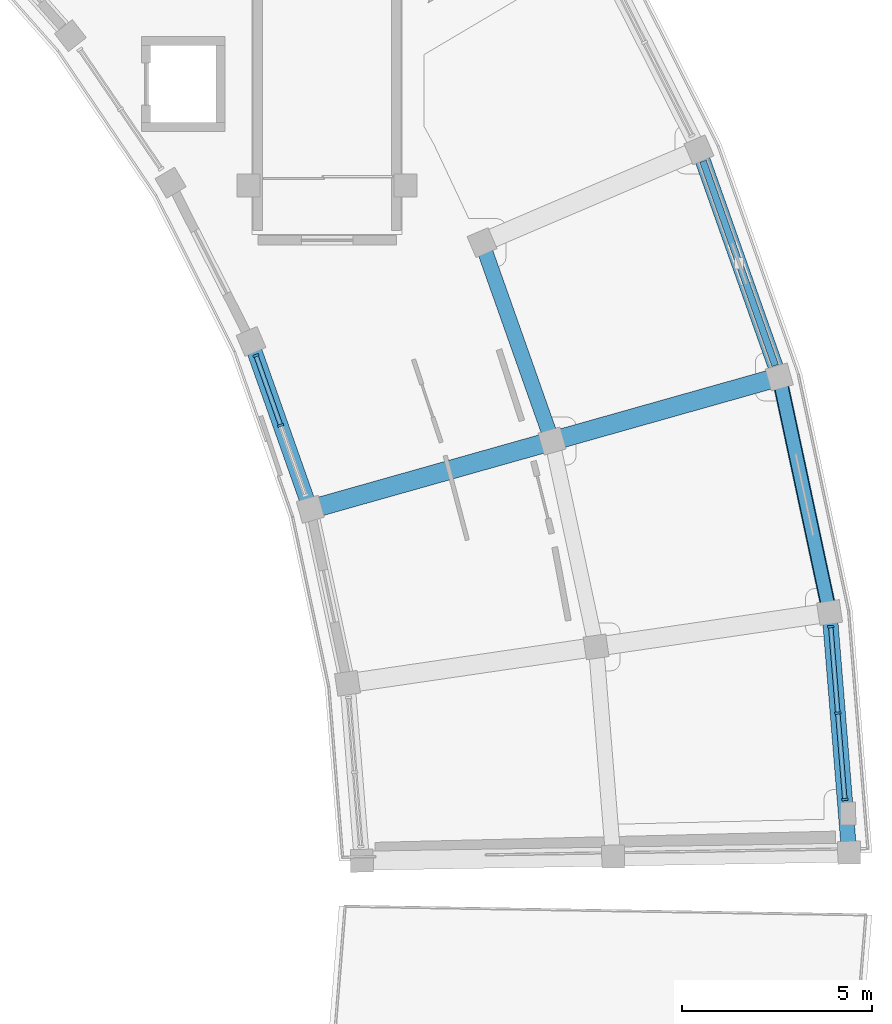
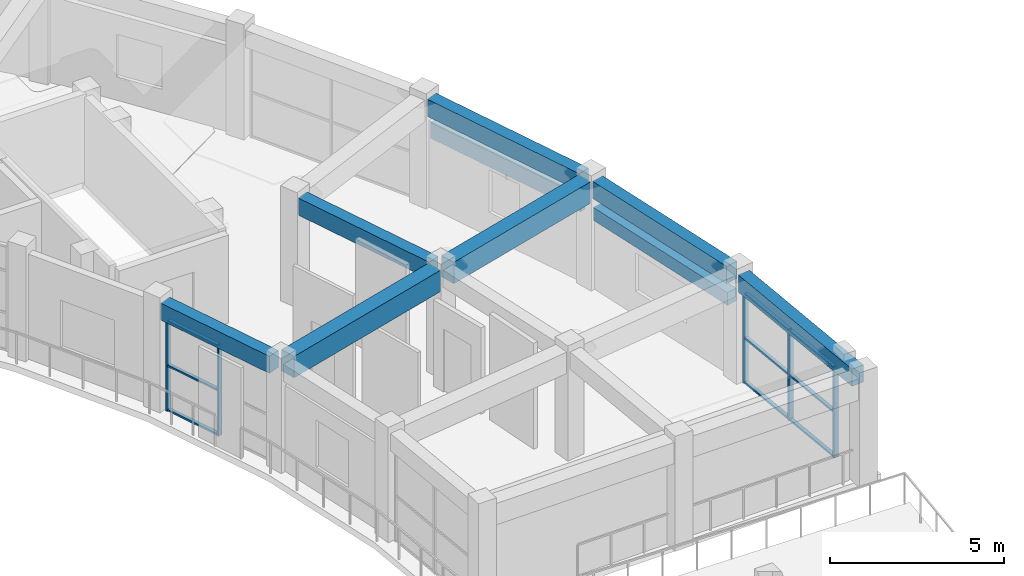
# One storey, part 11 of 29: 15 members, 8 beams, 2 elements without a shape of their own.
"""IFC4 building model written with IfcOpenShell, lengths in metres."""

import ifcopenshell
import ifcopenshell.guid

model = None  # the IFC model being written
_history = None  # IfcOwnerHistory: only IFC2X3 demands one
_inside = {}  # id of a spatial element -> (the spatial element, [elements in it])
_under = {}  # id of a project, library or spatial element -> (it, [spatial elements below it])
_declared = {}  # id of a project -> (the project, [libraries it declares])
_typed = {}  # id of a type object -> (the type object, [elements of that type])
_made_of = {}  # id of a material, layer set ... -> (it, [elements and type objects made of it])


def new_model(schema):
    """Start an empty IFC model of exactly this schema.

    Asked for "IFC4X3", IfcOpenShell would pick the latest addendum, in which some entities
    have other attributes; the version numbers below select the first issue.
    IFC2X3 requires an IfcOwnerHistory on every rooted entity: one is made here for all.
    """
    global model, _history
    if schema == "IFC4X3":
        model = ifcopenshell.file(schema_version=(4, 3, 0, 0))
    else:
        model = ifcopenshell.file(schema=schema)
    _inside.clear()
    _under.clear()
    _declared.clear()
    _typed.clear()
    _made_of.clear()
    _history = None
    if model.schema == "IFC2X3":
        org = make("IfcOrganization", Name="unknown")
        user = make(
            "IfcPersonAndOrganization",
            ThePerson=make("IfcPerson", FamilyName="unknown"),
            TheOrganization=org,
        )
        app = make(
            "IfcApplication",
            ApplicationDeveloper=org,
            Version="unknown",
            ApplicationFullName="unknown",
            ApplicationIdentifier="unknown",
        )
        _history = make(
            "IfcOwnerHistory",
            OwningUser=user,
            OwningApplication=app,
            ChangeAction="ADDED",
            CreationDate=0,
        )
    return model


def make(cls, **values):
    """One entity of the class cls with the attributes given. An attribute that is None is left unset."""
    return model.create_entity(
        cls, **{name: value for name, value in values.items() if value is not None}
    )


def rooted(cls, **values):
    """An entity with a GlobalId (a new one), such as an element, a storey or a relation."""
    return make(cls, GlobalId=ifcopenshell.guid.new(), OwnerHistory=_history, **values)


def si_unit(unit_type, name, prefix=None):
    """IfcSIUnit, for example si_unit("LENGTHUNIT", "METRE", prefix="MILLI")."""
    return make("IfcSIUnit", UnitType=unit_type, Prefix=prefix, Name=name)


def assignment(units):
    """IfcUnitAssignment: the units of a project."""
    return None if units is None else make("IfcUnitAssignment", Units=units)


def point(xyz):
    """IfcCartesianPoint."""
    return None if xyz is None else make("IfcCartesianPoint", Coordinates=xyz)


def direction(xyz):
    """IfcDirection."""
    return None if xyz is None else make("IfcDirection", DirectionRatios=xyz)


def frame(location, z_axis=None, x_axis=None):
    """IfcAxis2Placement3D, a coordinate frame: its origin and axes. An axis left out is left unset."""
    return make(
        "IfcAxis2Placement3D",
        Location=point(location),
        Axis=direction(z_axis),
        RefDirection=direction(x_axis),
    )


def frame_2d(location, x_axis=None):
    """IfcAxis2Placement2D, a coordinate frame in the plane: its origin and x axis."""
    return make(
        "IfcAxis2Placement2D", Location=point(location), RefDirection=direction(x_axis)
    )


def origin():
    """The frame at (0, 0, 0) with its axes left unset."""
    return frame((0.0, 0.0, 0.0))


def origin_2d():
    """The frame at (0, 0) in the plane with its x axis left unset."""
    return frame_2d((0.0, 0.0))


def place(relative_to, where):
    """IfcLocalPlacement: puts the frame where relative to a parent placement (None: the world)."""
    return make(
        "IfcLocalPlacement", PlacementRelTo=relative_to, RelativePlacement=where
    )


def context(
    kind, dimensions, precision=None, world=None, true_north=None, identifier=None
):
    """IfcGeometricRepresentationContext, for example the 3D "Model" context."""
    return make(
        "IfcGeometricRepresentationContext",
        ContextIdentifier=identifier,
        ContextType=kind,
        CoordinateSpaceDimension=dimensions,
        Precision=precision,
        WorldCoordinateSystem=world,
        TrueNorth=true_north,
    )


def subcontext(parent, identifier, kind, view, scale=None):
    """IfcGeometricRepresentationSubContext, for example "Body" below "Model"."""
    return make(
        "IfcGeometricRepresentationSubContext",
        ContextIdentifier=identifier,
        ContextType=kind,
        ParentContext=parent,
        TargetScale=scale,
        TargetView=view,
    )


def project(units=None, contexts=None):
    """IfcProject with its units and contexts."""
    return rooted(
        "IfcProject",
        Name="project",
        RepresentationContexts=contexts,
        UnitsInContext=assignment(units),
    )


def spatial(cls, under=None, at=None, **own):
    """A site, building, storey or space (cls), placed at a placement, below another one or the project."""
    s = rooted(cls, ObjectPlacement=at, **own)
    if under is not None:
        _under.setdefault(under.id(), (under, []))[1].append(s)
    return s


def profile(cls, at=None, kind="AREA", **sizes):
    """A parametric profile (cls). Its sizes go by their IFC names, for example OverallWidth=200.0."""
    return make(cls, ProfileType=kind, Position=at, **sizes)


def rectangle(**sizes):
    """IfcRectangleProfileDef."""
    return profile("IfcRectangleProfileDef", **sizes)


def extrude(swept, where, along, depth):
    """IfcExtrudedAreaSolid: the profile swept, set in the frame where, extruded along a direction by depth."""
    return make(
        "IfcExtrudedAreaSolid",
        SweptArea=swept,
        Position=where,
        ExtrudedDirection=direction(along),
        Depth=depth,
    )


def shape(context_of_items, identifier, shape_type, items):
    """IfcShapeRepresentation: the items that make up one representation, for example the "Body"."""
    return make(
        "IfcShapeRepresentation",
        ContextOfItems=context_of_items,
        RepresentationIdentifier=identifier,
        RepresentationType=shape_type,
        Items=items,
    )


def material(Name=None, Category=None):
    """IfcMaterial."""
    return make("IfcMaterial", Name=Name, Category=Category)


def material_profile(
    of_material, cross_section, Name=None, Category=None, Priority=None
):
    """IfcMaterialProfile: a cross section and its material."""
    return make(
        "IfcMaterialProfile",
        Name=Name,
        Material=of_material,
        Profile=cross_section,
        Priority=Priority,
        Category=Category,
    )


def profile_set(profiles, Name=None, composite=None):
    """IfcMaterialProfileSet."""
    return make(
        "IfcMaterialProfileSet",
        Name=Name,
        MaterialProfiles=profiles,
        CompositeProfile=composite,
    )


def made_of(thing, what):
    """Note that an element or type object is made of a material, layer set ...; save() writes the relation."""
    if what is not None:
        _made_of.setdefault(what.id(), (what, []))[1].append(thing)
    return thing


def type_object(cls, material=None, **own):
    """A type object (cls), such as IfcWallType, which elements share."""
    return made_of(rooted(cls, **own), material)


def element(
    cls,
    number,
    at=None,
    inside=None,
    cuts=None,
    type_object=None,
    material=None,
    context=None,
    identifier="Body",
    shape_type=None,
    held_by="IfcProductDefinitionShape",
    body=None,
    shapes=None,
    **own,
):
    """One element of the class cls, such as IfcWall. Its Tag is "e" and its number.

    at: its placement. inside: the storey or other place that contains it. cuts: it is an
    opening in that element (IfcRelVoidsElement). A single representation is given by context,
    identifier, shape_type and body (its items); several are given by shapes. held_by: the class
    of the entity that holds the representations. save() writes the other relations.
    """
    e = rooted(cls, Tag="e%d" % number, ObjectPlacement=at, **own)
    if body is not None:
        shapes = [shape(context, identifier, shape_type, body)]
    if shapes is not None:
        e.Representation = make(held_by, Representations=shapes)
    if inside is not None:
        _inside.setdefault(inside.id(), (inside, []))[1].append(e)
    if cuts is not None:
        rooted(
            "IfcRelVoidsElement", RelatingBuildingElement=cuts, RelatedOpeningElement=e
        )
    if type_object is not None:
        _typed.setdefault(type_object.id(), (type_object, []))[1].append(e)
    return made_of(e, material)


def aggregate(whole, parts):
    """IfcRelAggregates: a whole, such as a stair, and the parts it consists of."""
    return rooted("IfcRelAggregates", RelatingObject=whole, RelatedObjects=parts)


def save(model, path):
    """Write the relations noted so far, then the file.

    IfcRelAggregates (storeys below a building ...), IfcRelContainedInSpatialStructure (elements
    in a storey), IfcRelDefinesByType, IfcRelAssociatesMaterial and IfcRelDeclares: one each for
    every whole, place, type object, material and project.
    """
    for whole, parts in _under.values():
        aggregate(whole, parts)
    for where, things in _inside.values():
        rooted(
            "IfcRelContainedInSpatialStructure",
            RelatedElements=things,
            RelatingStructure=where,
        )
    for kind, things in _typed.values():
        rooted("IfcRelDefinesByType", RelatedObjects=things, RelatingType=kind)
    for what, things in _made_of.values():
        rooted("IfcRelAssociatesMaterial", RelatedObjects=things, RelatingMaterial=what)
    for by, libraries in _declared.values():
        rooted("IfcRelDeclares", RelatingContext=by, RelatedDefinitions=libraries)
    model.write(path)


model = new_model("IFC4")

# Units and contexts
model_context = context("Model", 3, precision=1e-05, world=origin(), true_north=direction((0.0, 1.0)))
body_context = subcontext(model_context, "Body", "Model", "MODEL_VIEW")
ifc_project = project(units=[si_unit("LENGTHUNIT", "METRE"), si_unit("AREAUNIT", "SQUARE_METRE"), si_unit("VOLUMEUNIT", "CUBIC_METRE"), si_unit("PLANEANGLEUNIT", "RADIAN"), si_unit("MASSUNIT", "GRAM", prefix="KILO")], contexts=[model_context])

# Site, building, storey
site_placement = place(None, origin())
site = spatial("IfcSite", under=ifc_project, at=site_placement, CompositionType="ELEMENT")
building_placement = place(site_placement, origin())
building = spatial("IfcBuilding", under=site, at=building_placement, Name="Saryqyr Civic Hall", CompositionType="ELEMENT")
storey_placement = place(building_placement, frame((0.0, 0.0, 25.35009765625)))
storey = spatial("IfcBuildingStorey", under=building, at=storey_placement, Name="L06", CompositionType="ELEMENT", Elevation=25.35009765625)

# Curtain wall, members
ifc_material_1 = material(Name="Anodised aluminium and triple low-E glass", Category="aluminium")
curtain_wall_type_1 = type_object("IfcCurtainWallType", Name="ENV-CW-STD-30", PredefinedType="NOTDEFINED", material=ifc_material_1)
curtain_wall_1_placement = place(storey_placement, origin())
curtain_wall_1 = element("IfcCurtainWall", 1, at=curtain_wall_1_placement, inside=storey, type_object=curtain_wall_type_1, Name="Curtain wall V6-CWO-L06-00", PredefinedType="NOTDEFINED")
ifc_material_2 = material(Name="Anodised aluminium", Category="aluminium")
ifc_material_profile_1 = material_profile(ifc_material_2, rectangle(XDim=0.06005859375, YDim=0.159912109375, at=origin_2d()), Name="ALU MULLION 60x160")
ifc_profile_set_1 = profile_set([ifc_material_profile_1], Name="Anodised aluminium")
member_type_1 = type_object("IfcMemberType", Name="ENV-CW-MUL-180", PredefinedType="MULLION", material=ifc_profile_set_1)
member_1_placement = place(storey_placement, frame((105.51025390625, 90.75, 0.0), z_axis=(0.0, 0.0, 1.0), x_axis=(0.081093274213, -0.996706516923, 0.0)))
member_1 = element("IfcMember", 2, at=member_1_placement, type_object=member_type_1, Name="CW-30 mullion 1", PredefinedType="MULLION", context=body_context, shape_type="SweptSolid", body=[
    extrude(rectangle(XDim=0.06005859375, YDim=0.159912109375, at=origin_2d()), origin(), (0.0, 0.0, 1.0), 3.184814453125),
])
member_2_placement = place(storey_placement, frame((105.69482421875, 88.479248046875, 0.0), z_axis=(0.0, 0.0, 1.0), x_axis=(0.081093274213, -0.996706516923, 0.0)))
member_2 = element("IfcMember", 3, at=member_2_placement, type_object=member_type_1, Name="CW-30 mullion 2", PredefinedType="MULLION", context=body_context, shape_type="SweptSolid", body=[
    extrude(rectangle(XDim=0.06005859375, YDim=0.159912109375, at=origin_2d()), origin(), (0.0, 0.0, 1.0), 3.184814453125),
])
member_3_placement = place(storey_placement, frame((105.879638671875, 86.208251953125, 0.0), z_axis=(0.0, 0.0, 1.0), x_axis=(0.081093274213, -0.996706516923, 0.0)))
member_3 = element("IfcMember", 4, at=member_3_placement, type_object=member_type_1, Name="CW-30 mullion 3", PredefinedType="MULLION", context=body_context, shape_type="SweptSolid", body=[
    extrude(rectangle(XDim=0.06005859375, YDim=0.159912109375, at=origin_2d()), origin(), (0.0, 0.0, 1.0), 3.184814453125),
])

curtain_wall_type_2 = type_object("IfcCurtainWallType", Name="ENV-CW-STD-21", PredefinedType="NOTDEFINED", material=ifc_material_1)
curtain_wall_2_placement = place(storey_placement, origin())
curtain_wall_2 = element("IfcCurtainWall", 5, at=curtain_wall_2_placement, inside=storey, type_object=curtain_wall_type_2, Name="Curtain wall V6-CWI-L06-02", PredefinedType="NOTDEFINED")
member_4_placement = place(storey_placement, frame((91.060302734375, 96.036376953125, 0.0), z_axis=(0.0, 0.0, 1.0), x_axis=(-0.333171977335, 0.94286607401, 0.0)))
member_4 = element("IfcMember", 6, at=member_4_placement, type_object=member_type_1, Name="CW-21 mullion 2", PredefinedType="MULLION", context=body_context, shape_type="SweptSolid", body=[
    extrude(rectangle(XDim=0.06005859375, YDim=0.159912109375, at=origin_2d()), origin(), (0.0, 0.0, 1.0), 3.184814453125),
])
member_5_placement = place(storey_placement, frame((90.41162109375, 97.8720703125, 0.0), z_axis=(0.0, 0.0, 1.0), x_axis=(-0.333171977335, 0.94286607401, 0.0)))
member_5 = element("IfcMember", 7, at=member_5_placement, type_object=member_type_1, Name="CW-21 mullion 3", PredefinedType="MULLION", context=body_context, shape_type="SweptSolid", body=[
    extrude(rectangle(XDim=0.06005859375, YDim=0.159912109375, at=origin_2d()), origin(), (0.0, 0.0, 1.0), 3.184814453125),
])

# Member
ifc_material_profile_2 = material_profile(ifc_material_2, rectangle(XDim=0.1201171875, YDim=0.06005859375, at=origin_2d()), Name="ALU TRANSOM 120x60")
ifc_profile_set_2 = profile_set([ifc_material_profile_2], Name="Anodised aluminium")
member_type_2 = type_object("IfcMemberType", Name="ENV-CW-TRN-150", PredefinedType="USERDEFINED", material=ifc_profile_set_2)
member_6_placement = place(storey_placement, frame((105.512451171875, 90.72021484375, 0.02978515625), z_axis=(0.081105440366, -0.996705526995, 0.0), x_axis=(0.996705526995, 0.081105440366, 0.0)))
member_6 = element("IfcMember", 8, at=member_6_placement, type_object=member_type_2, Name="CW-30 transom 1.1", ObjectType="TRANSOM", PredefinedType="USERDEFINED", context=body_context, shape_type="SweptSolid", body=[
    extrude(rectangle(XDim=0.1201171875, YDim=0.06005859375, at=origin_2d()), origin(), (0.0, 0.0, 1.0), 2.218505859375),
])

member_7_placement = place(storey_placement, frame((105.512451171875, 90.72021484375, 1.593017578125), z_axis=(0.081105440366, -0.996705526995, 0.0), x_axis=(0.996705526995, 0.081105440366, 0.0)))
member_7 = element("IfcMember", 9, at=member_7_placement, type_object=member_type_2, Name="CW-30 transom 1.2", ObjectType="TRANSOM", PredefinedType="USERDEFINED", context=body_context, shape_type="SweptSolid", body=[
    extrude(rectangle(XDim=0.1201171875, YDim=0.06005859375, at=origin_2d()), origin(), (0.0, 0.0, 1.0), 2.218505859375),
])

member_8_placement = place(storey_placement, frame((105.512451171875, 90.72021484375, 3.15478515625), z_axis=(0.081105440366, -0.996705526995, 0.0), x_axis=(0.996705526995, 0.081105440366, 0.0)))
member_8 = element("IfcMember", 10, at=member_8_placement, type_object=member_type_2, Name="CW-30 transom 1.3", ObjectType="TRANSOM", PredefinedType="USERDEFINED", context=body_context, shape_type="SweptSolid", body=[
    extrude(rectangle(XDim=0.1201171875, YDim=0.06005859375, at=origin_2d()), origin(), (0.0, 0.0, 1.0), 2.218505859375),
])

member_9_placement = place(storey_placement, frame((105.697265625, 88.44921875, 0.02978515625), z_axis=(0.081105440366, -0.996705526995, 0.0), x_axis=(0.996705526995, 0.081105440366, 0.0)))
member_9 = element("IfcMember", 11, at=member_9_placement, type_object=member_type_2, Name="CW-30 transom 2.1", ObjectType="TRANSOM", PredefinedType="USERDEFINED", context=body_context, shape_type="SweptSolid", body=[
    extrude(rectangle(XDim=0.1201171875, YDim=0.06005859375, at=origin_2d()), origin(), (0.0, 0.0, 1.0), 2.218505859375),
])

member_10_placement = place(storey_placement, frame((105.697265625, 88.44921875, 1.593017578125), z_axis=(0.081105440366, -0.996705526995, 0.0), x_axis=(0.996705526995, 0.081105440366, 0.0)))
member_10 = element("IfcMember", 12, at=member_10_placement, type_object=member_type_2, Name="CW-30 transom 2.2", ObjectType="TRANSOM", PredefinedType="USERDEFINED", context=body_context, shape_type="SweptSolid", body=[
    extrude(rectangle(XDim=0.1201171875, YDim=0.06005859375, at=origin_2d()), origin(), (0.0, 0.0, 1.0), 2.218505859375),
])

member_11_placement = place(storey_placement, frame((105.697265625, 88.44921875, 3.15478515625), z_axis=(0.081105440366, -0.996705526995, 0.0), x_axis=(0.996705526995, 0.081105440366, 0.0)))
member_11 = element("IfcMember", 13, at=member_11_placement, type_object=member_type_2, Name="CW-30 transom 2.3", ObjectType="TRANSOM", PredefinedType="USERDEFINED", context=body_context, shape_type="SweptSolid", body=[
    extrude(rectangle(XDim=0.1201171875, YDim=0.06005859375, at=origin_2d()), origin(), (0.0, 0.0, 1.0), 2.218505859375),
])

aggregate(curtain_wall_1, [member_1, member_2, member_3, member_6, member_7, member_8, member_9, member_10, member_11])

member_12_placement = place(storey_placement, frame((91.05029296875, 96.064697265625, 0.02978515625), z_axis=(-0.333178802066, 0.942863662389, 0.0), x_axis=(-0.942863662389, -0.333178802066, 0.0)))
member_12 = element("IfcMember", 14, at=member_12_placement, type_object=member_type_2, Name="CW-21 transom 2.1", ObjectType="TRANSOM", PredefinedType="USERDEFINED", context=body_context, shape_type="SweptSolid", body=[
    extrude(rectangle(XDim=0.1201171875, YDim=0.06005859375, at=origin_2d()), origin(), (0.0, 0.0, 1.0), 1.886962890625),
])

member_13_placement = place(storey_placement, frame((91.05029296875, 96.064697265625, 1.593017578125), z_axis=(-0.333178802066, 0.942863662389, 0.0), x_axis=(-0.942863662389, -0.333178802066, 0.0)))
member_13 = element("IfcMember", 15, at=member_13_placement, type_object=member_type_2, Name="CW-21 transom 2.2", ObjectType="TRANSOM", PredefinedType="USERDEFINED", context=body_context, shape_type="SweptSolid", body=[
    extrude(rectangle(XDim=0.1201171875, YDim=0.06005859375, at=origin_2d()), origin(), (0.0, 0.0, 1.0), 1.886962890625),
])

member_14_placement = place(storey_placement, frame((91.05029296875, 96.064697265625, 3.15478515625), z_axis=(-0.333178802066, 0.942863662389, 0.0), x_axis=(-0.942863662389, -0.333178802066, 0.0)))
member_14 = element("IfcMember", 16, at=member_14_placement, type_object=member_type_2, Name="CW-21 transom 2.3", ObjectType="TRANSOM", PredefinedType="USERDEFINED", context=body_context, shape_type="SweptSolid", body=[
    extrude(rectangle(XDim=0.1201171875, YDim=0.06005859375, at=origin_2d()), origin(), (0.0, 0.0, 1.0), 1.886962890625),
])

aggregate(curtain_wall_2, [member_4, member_5, member_12, member_13, member_14])

ifc_material_3 = material(Name="Precast concrete C40/50", Category="concrete")
ifc_material_profile_3 = material_profile(ifc_material_3, rectangle(XDim=0.179931640625, YDim=0.550048828125, at=origin_2d()), Name="PC FIN 180x550")
ifc_profile_set_3 = profile_set([ifc_material_profile_3], Name="Precast concrete C40/50")
member_type_3 = type_object("IfcMemberType", Name="ENV-FIN-PC550", PredefinedType="USERDEFINED", material=ifc_profile_set_3)
member_15_placement = place(storey_placement, frame((104.052001953125, 97.608642578125, 2.669921875), z_axis=(-0.333161095844, 0.942869919032, 0.0), x_axis=(-0.942869919032, -0.333161095844, 0.0)))
element("IfcMember", 17, at=member_15_placement, inside=storey, type_object=member_type_3, Name="Precast horizontal solar brise-soleil fin V6-L06-02", ObjectType="SOLAR_FIN", PredefinedType="USERDEFINED", context=body_context, shape_type="SweptSolid", body=[
    extrude(rectangle(XDim=0.179931640625, YDim=0.550048828125, at=origin_2d()), origin(), (0.0, 0.0, 1.0), 5.6923828125),
])

# Beams
ifc_material_4 = material(Name="Concrete C35/45", Category="concrete")
ifc_material_profile_4 = material_profile(ifc_material_4, rectangle(XDim=0.39990234375, YDim=0.60009765625, at=origin_2d()), Name="RC 400x600")
ifc_profile_set_4 = profile_set([ifc_material_profile_4], Name="Concrete C35/45")
beam_type_1 = type_object("IfcBeamType", Name="STR-BM-RC400x600", PredefinedType="BEAM", material=ifc_profile_set_4)
beam_1_placement = place(storey_placement, frame((98.099609375, 95.884033203125, 3.510009765625), z_axis=(-0.333215168941, 0.942850810674, 0.0), x_axis=(-0.942850810674, -0.333215168941, 0.0)))
element("IfcBeam", 18, at=beam_1_placement, inside=storey, type_object=beam_type_1, Name="Beam V6-CBM-MID02-L06", PredefinedType="BEAM", context=body_context, shape_type="SweptSolid", body=[
    extrude(rectangle(XDim=0.39990234375, YDim=0.60009765625, at=origin_2d()), origin(), (0.0, 0.0, 1.0), 4.977783203125),
])
ifc_material_profile_5 = material_profile(ifc_material_4, rectangle(XDim=0.39990234375, YDim=0.60009765625, at=origin_2d()), Name="RC 400x600")
ifc_profile_set_5 = profile_set([ifc_material_profile_5], Name="Concrete C35/45")
beam_type_2 = type_object("IfcBeamType", Name="STR-BM-RC400x600-EXT", PredefinedType="BEAM", material=ifc_profile_set_5)
beam_2_placement = place(storey_placement, frame((105.970947265625, 85.08642578125, 3.510009765625), z_axis=(-0.081118754251, 0.996704443508, 0.0), x_axis=(-0.996704443508, -0.081118754251, 0.0)))
element("IfcBeam", 19, at=beam_2_placement, inside=storey, type_object=beam_type_2, Name="Beam V6-CBM-OUT00-L06", PredefinedType="BEAM", context=body_context, shape_type="SweptSolid", body=[
    extrude(rectangle(XDim=0.39990234375, YDim=0.60009765625, at=origin_2d()), origin(), (0.0, 0.0, 1.0), 5.778564453125),
])
beam_3_placement = place(storey_placement, frame((105.422607421875, 91.388916015625, 3.510009765625), z_axis=(-0.208928885594, 0.977930836391, 0.0), x_axis=(-0.977930836391, -0.208928885594, 0.0)))
element("IfcBeam", 20, at=beam_3_placement, inside=storey, type_object=beam_type_2, Name="Beam V6-CBM-OUT01-L06", PredefinedType="BEAM", context=body_context, shape_type="SweptSolid", body=[
    extrude(rectangle(XDim=0.39990234375, YDim=0.60009765625, at=origin_2d()), origin(), (0.0, 0.0, 1.0), 5.7783203125),
])
beam_4_placement = place(storey_placement, frame((91.74755859375, 94.091552734375, 3.510009765625), z_axis=(-0.333185372097, 0.942861340718, 0.0), x_axis=(-0.942861340718, -0.333185372097, 0.0)))
element("IfcBeam", 21, at=beam_4_placement, inside=storey, type_object=beam_type_2, Name="Beam V6-CBM-IN02-L06", PredefinedType="BEAM", context=body_context, shape_type="SweptSolid", body=[
    extrude(rectangle(XDim=0.39990234375, YDim=0.60009765625, at=origin_2d()), origin(), (0.0, 0.0, 1.0), 4.12548828125),
])
beam_5_placement = place(storey_placement, frame((104.06640625, 97.568115234375, 3.510009765625), z_axis=(-0.333186956354, 0.942860780877, 0.0), x_axis=(-0.942860780877, -0.333186956354, 0.0)))
element("IfcBeam", 22, at=beam_5_placement, inside=storey, type_object=beam_type_2, Name="Beam V6-CBM-OUT02-L06", PredefinedType="BEAM", context=body_context, shape_type="SweptSolid", body=[
    extrude(rectangle(XDim=0.39990234375, YDim=0.60009765625, at=origin_2d()), origin(), (0.0, 0.0, 1.0), 5.7783203125),
])
ifc_material_5 = material(Name="Concrete C40/50", Category="concrete")
ifc_material_profile_6 = material_profile(ifc_material_5, rectangle(XDim=0.5, YDim=0.75, at=origin_2d()), Name="RC 500x750")
ifc_profile_set_6 = profile_set([ifc_material_profile_6], Name="Concrete C40/50")
beam_type_3 = type_object("IfcBeamType", Name="STR-BM-RC500x750", PredefinedType="BEAM", material=ifc_profile_set_6)
beam_6_placement = place(storey_placement, frame((92.10400390625, 93.906982421875, 3.434814453125), z_axis=(0.962414253167, 0.27158572367, 0.0), x_axis=(-0.27158572367, 0.962414253167, 0.0)))
element("IfcBeam", 23, at=beam_6_placement, inside=storey, type_object=beam_type_3, Name="Beam V6-RBM-A02-L06", PredefinedType="BEAM", context=body_context, shape_type="SweptSolid", body=[
    extrude(rectangle(XDim=0.5, YDim=0.75, at=origin_2d()), origin(), (0.0, 0.0, 1.0), 6.0498046875),
])
beam_7_placement = place(storey_placement, frame((98.455810546875, 95.699462890625, 3.434814453125), z_axis=(0.962402766015, 0.271626427226, 0.0), x_axis=(-0.271626427226, 0.962402766015, 0.0)))
element("IfcBeam", 24, at=beam_7_placement, inside=storey, type_object=beam_type_3, Name="Beam V6-RBM-B02-L06", PredefinedType="BEAM", context=body_context, shape_type="SweptSolid", body=[
    extrude(rectangle(XDim=0.5, YDim=0.75, at=origin_2d()), origin(), (0.0, 0.0, 1.0), 5.64990234375),
])
ifc_material_profile_7 = material_profile(ifc_material_3, rectangle(XDim=0.35009765625, YDim=0.449951171875, at=origin_2d()), Name="RC 350x450")
ifc_profile_set_7 = profile_set([ifc_material_profile_7], Name="Precast concrete C40/50")
beam_type_4 = type_object("IfcBeamType", Name="STR-LIN-RC350x450", PredefinedType="LINTEL", material=ifc_profile_set_7)
beam_8_placement = place(storey_placement, frame((105.422607421875, 91.388916015625, 2.65478515625), z_axis=(-0.208928885594, 0.977930836391, 0.0), x_axis=(-0.977930836391, -0.208928885594, 0.0)))
element("IfcBeam", 25, at=beam_8_placement, inside=storey, type_object=beam_type_4, Name="Beam V6-LIN-01-L06", PredefinedType="LINTEL", context=body_context, shape_type="SweptSolid", body=[
    extrude(rectangle(XDim=0.35009765625, YDim=0.449951171875, at=origin_2d()), origin(), (0.0, 0.0, 1.0), 5.7783203125),
])

save(model, "model.ifc")
